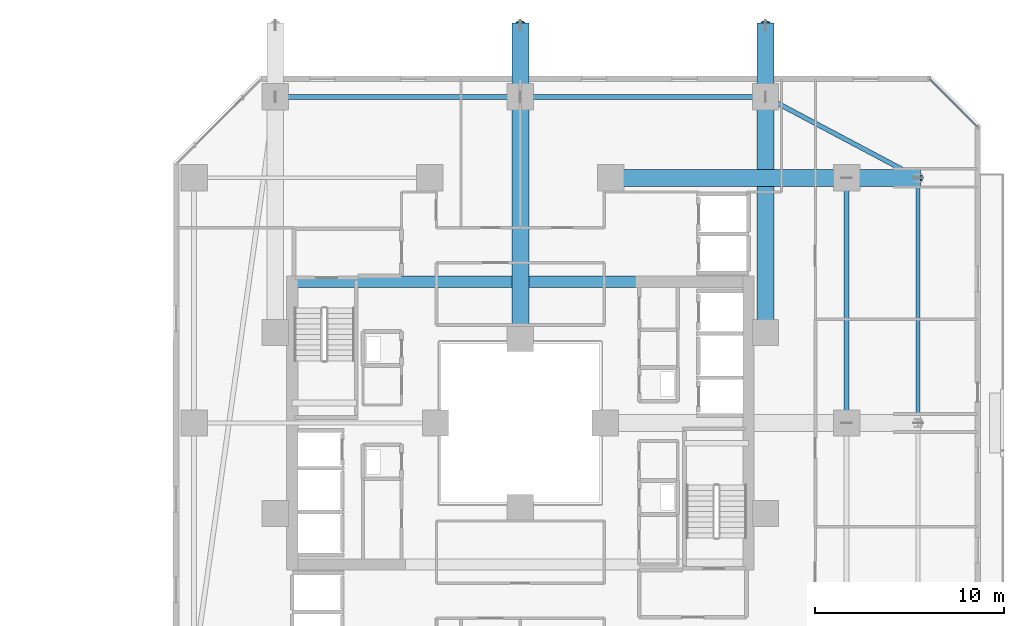
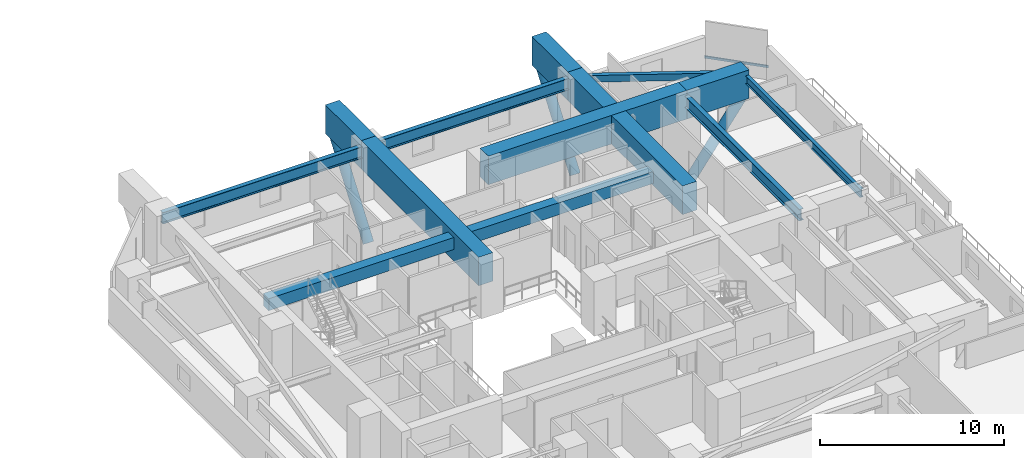
# One storey, part 16 of 36: 12 beams, 4 members, 1 element without a shape of its own.
"""IFC4 building model written with IfcOpenShell, lengths in metres."""

from ifc_helpers import new_model, si_unit, direction, frame, origin, origin_2d, place, context, subcontext, project, spatial, rectangle, hollow_rectangle, hollow_circle, i_section, extrude, material, material_profile, profile_set, type_object, element, aggregate, save


model = new_model("IFC4")

# Units and contexts
model_context = context("Model", 3, precision=1e-05, world=origin(), true_north=direction((0.0, 1.0)))
body_context = subcontext(model_context, "Body", "Model", "MODEL_VIEW")
ifc_project = project(units=[si_unit("LENGTHUNIT", "METRE"), si_unit("AREAUNIT", "SQUARE_METRE"), si_unit("VOLUMEUNIT", "CUBIC_METRE"), si_unit("PLANEANGLEUNIT", "RADIAN"), si_unit("MASSUNIT", "GRAM", prefix="KILO")], contexts=[model_context])

# Site, building, storey
site_placement = place(None, origin())
site = spatial("IfcSite", under=ifc_project, at=site_placement, CompositionType="ELEMENT")
building_placement = place(site_placement, origin())
building = spatial("IfcBuilding", under=site, at=building_placement, Name="Thornwick Lancets Civic Towers", CompositionType="ELEMENT")
storey_placement = place(building_placement, frame((0.0, 0.0, 45.89990234375)))
storey = spatial("IfcBuildingStorey", under=building, at=storey_placement, Name="L11", CompositionType="ELEMENT", Elevation=45.89990234375)

# Beams
ifc_material_1 = material(Name="Concrete C60/75", Category="concrete")
ifc_material_profile_1 = material_profile(ifc_material_1, rectangle(XDim=0.60009765625, YDim=0.800048828125, at=origin_2d()), Name="RC 600x800")
ifc_profile_set_1 = profile_set([ifc_material_profile_1], Name="Concrete C60/75")
beam_type_1 = type_object("IfcBeamType", Name="BM_COUP_RC800", PredefinedType="BEAM", material=ifc_profile_set_1)
beam_1_placement = place(storey_placement, frame((76.39990234375, 34.5, 2.880126953125), z_axis=(1.0, 0.0, 0.0), x_axis=(0.0, 1.0, 0.0)))
element("IfcBeam", 1, at=beam_1_placement, inside=storey, type_object=beam_type_1, Name="CB-L11-B1", PredefinedType="BEAM", context=body_context, shape_type="SweptSolid", body=[
    extrude(rectangle(XDim=0.60009765625, YDim=0.800048828125, at=origin_2d()), origin(), (0.0, 0.0, 1.0), 24.2001953125),
])
ifc_material_2 = material(Name="Steel S355JR", Category="steel")
ifc_material_profile_2 = material_profile(ifc_material_2, i_section(OverallWidth=0.2119140625, OverallDepth=0.54443359375, WebThickness=0.0126953125, FlangeThickness=0.021240234375, FilletRadius=0.0126953125, at=origin_2d()), Name="UKB 533x210x122")
ifc_profile_set_2 = profile_set([ifc_material_profile_2], Name="Steel S355JR")
beam_type_2 = type_object("IfcBeamType", Name="BM_EDGE_533_122", PredefinedType="SPANDREL", material=ifc_profile_set_2)
beam_2_placement = place(storey_placement, frame((109.60009765625, 27.080078125, 3.0078125), z_axis=(0.0, 1.0, 0.0), x_axis=(-1.0, 0.0, 0.0)))
element("IfcBeam", 2, at=beam_2_placement, inside=storey, type_object=beam_type_2, Name="BM-EDGE-L11-B-S0-2", PredefinedType="SPANDREL", context=body_context, shape_type="SweptSolid", body=[
    extrude(i_section(OverallWidth=0.2119140625, OverallDepth=0.54443359375, WebThickness=0.0126953125, FlangeThickness=0.021240234375, FilletRadius=0.0126953125, at=origin_2d()), origin(), (0.0, 0.0, 1.0), 12.919921875),
])
ifc_material_profile_3 = material_profile(ifc_material_2, i_section(OverallWidth=0.26806640625, OverallDepth=0.769775390625, WebThickness=0.015625, FlangeThickness=0.025390625, FilletRadius=0.0166015625, at=origin_2d()), Name="UKB 762x267x197")
ifc_profile_set_3 = profile_set([ifc_material_profile_3], Name="Steel S355JR")
beam_type_3 = type_object("IfcBeamType", Name="BM_GIRD_762_197", PredefinedType="BEAM", material=ifc_profile_set_3)
beam_3_placement = place(storey_placement, frame((105.800048828125, 27.080078125, 2.895263671875), z_axis=(0.0, 1.0, 0.0), x_axis=(-1.0, 0.0, 0.0)))
element("IfcBeam", 3, at=beam_3_placement, inside=storey, type_object=beam_type_3, Name="BM-SPINE-L11-B-1-2", PredefinedType="BEAM", context=body_context, shape_type="SweptSolid", body=[
    extrude(i_section(OverallWidth=0.26806640625, OverallDepth=0.769775390625, WebThickness=0.015625, FlangeThickness=0.025390625, FilletRadius=0.0166015625, at=origin_2d()), origin(), (0.0, 0.0, 1.0), 12.919921875),
])
beam_4_placement = place(storey_placement, frame((101.5, 44.300048828125, 2.895263671875), z_axis=(-1.0, 0.0, 0.0), x_axis=(0.0, -1.0, 0.0)))
element("IfcBeam", 4, at=beam_4_placement, inside=storey, type_object=beam_type_3, Name="BM-SPINE-L11-B-3-4", PredefinedType="BEAM", context=body_context, shape_type="SweptSolid", body=[
    extrude(i_section(OverallWidth=0.26806640625, OverallDepth=0.769775390625, WebThickness=0.015625, FlangeThickness=0.025390625, FilletRadius=0.0166015625, at=origin_2d()), origin(), (0.0, 0.0, 1.0), 13.0),
])
beam_5_placement = place(storey_placement, frame((88.419921875, 44.300048828125, 2.895263671875), z_axis=(-1.0, 0.0, 0.0), x_axis=(0.0, -1.0, 0.0)))
element("IfcBeam", 5, at=beam_5_placement, inside=storey, type_object=beam_type_3, Name="BM-SPINE-L11-B-4-5", PredefinedType="BEAM", context=body_context, shape_type="SweptSolid", body=[
    extrude(i_section(OverallWidth=0.26806640625, OverallDepth=0.769775390625, WebThickness=0.015625, FlangeThickness=0.025390625, FilletRadius=0.0166015625, at=origin_2d()), origin(), (0.0, 0.0, 1.0), 12.919921875),
])
ifc_material_profile_4 = material_profile(ifc_material_2, hollow_rectangle(XDim=0.25, YDim=0.449951171875, WallThickness=0.01611328125, at=origin_2d()), Name="RHS 450x250x16")
ifc_profile_set_4 = profile_set([ifc_material_profile_4], Name="Steel S355JR")
beam_type_4 = type_object("IfcBeamType", Name="BM_RING_RHS450", PredefinedType="BEAM", material=ifc_profile_set_4)
beam_6_placement = place(storey_placement, frame((109.60009765625, 40.0, 3.05517578125), z_axis=(-0.883256999818, 0.468889189758, 0.0), x_axis=(-0.468889189758, -0.883256999818, 0.0)))
element("IfcBeam", 6, at=beam_6_placement, inside=storey, type_object=beam_type_4, Name="BM-CHAMF-L11-B-C0", PredefinedType="BEAM", context=body_context, shape_type="SweptSolid", body=[
    extrude(hollow_rectangle(XDim=0.25, YDim=0.449951171875, WallThickness=0.01611328125, at=origin_2d()), origin(), (0.0, 0.0, 1.0), 9.170654296875),
])
ifc_material_profile_5 = material_profile(ifc_material_1, rectangle(XDim=0.89990234375, YDim=1.89990234375, at=origin_2d()), Name="RC 900x1900")
ifc_profile_set_5 = profile_set([ifc_material_profile_5], Name="Concrete C60/75")
beam_type_5 = type_object("IfcBeamType", Name="BM_TR_RC1900", PredefinedType="BEAM", material=ifc_profile_set_5)
beam_7_placement = place(storey_placement, frame((93.300048828125, 40.0, 2.650146484375), z_axis=(1.0, 0.0, 0.0), x_axis=(0.0, 1.0, 0.0)))
element("IfcBeam", 7, at=beam_7_placement, inside=storey, type_object=beam_type_5, Name="TG-BACK-L12-B03", PredefinedType="BEAM", context=body_context, shape_type="SweptSolid", body=[
    extrude(rectangle(XDim=0.89990234375, YDim=1.89990234375, at=origin_2d()), origin(), (0.0, 0.0, 1.0), 12.5),
])
beam_8_placement = place(storey_placement, frame((105.800048828125, 40.0, 2.650146484375), z_axis=(1.0, 0.0, 0.0), x_axis=(0.0, 1.0, 0.0)))
element("IfcBeam", 8, at=beam_8_placement, inside=storey, type_object=beam_type_5, Name="TG-CANT-L12-B03", PredefinedType="BEAM", context=body_context, shape_type="SweptSolid", body=[
    extrude(rectangle(XDim=0.89990234375, YDim=1.89990234375, at=origin_2d()), origin(), (0.0, 0.0, 1.0), 3.919921875),
])
beam_9_placement = place(storey_placement, frame((101.5, 31.800048828125, 2.650146484375), z_axis=(0.0, 1.0, 0.0), x_axis=(-1.0, 0.0, 0.0)))
element("IfcBeam", 9, at=beam_9_placement, inside=storey, type_object=beam_type_5, Name="TG-BACK-L12-B04", PredefinedType="BEAM", context=body_context, shape_type="SweptSolid", body=[
    extrude(rectangle(XDim=0.89990234375, YDim=1.89990234375, at=origin_2d()), origin(), (0.0, 0.0, 1.0), 12.5),
])
beam_10_placement = place(storey_placement, frame((101.5, 44.300048828125, 2.650146484375), z_axis=(0.0, 1.0, 0.0), x_axis=(-1.0, 0.0, 0.0)))
element("IfcBeam", 10, at=beam_10_placement, inside=storey, type_object=beam_type_5, Name="TG-CANT-L12-B04", PredefinedType="BEAM", context=body_context, shape_type="SweptSolid", body=[
    extrude(rectangle(XDim=0.89990234375, YDim=1.89990234375, at=origin_2d()), origin(), (0.0, 0.0, 1.0), 3.919921875),
])
beam_11_placement = place(storey_placement, frame((88.5, 31.5, 2.650146484375), z_axis=(0.0, 1.0, 0.0), x_axis=(-1.0, 0.0, 0.0)))
element("IfcBeam", 11, at=beam_11_placement, inside=storey, type_object=beam_type_5, Name="TG-BACK-L12-B05", PredefinedType="BEAM", context=body_context, shape_type="SweptSolid", body=[
    extrude(rectangle(XDim=0.89990234375, YDim=1.89990234375, at=origin_2d()), origin(), (0.0, 0.0, 1.0), 12.800048828125),
])
beam_12_placement = place(storey_placement, frame((88.5, 44.300048828125, 2.650146484375), z_axis=(0.0, 1.0, 0.0), x_axis=(-1.0, 0.0, 0.0)))
element("IfcBeam", 12, at=beam_12_placement, inside=storey, type_object=beam_type_5, Name="TG-CANT-L12-B05", PredefinedType="BEAM", context=body_context, shape_type="SweptSolid", body=[
    extrude(rectangle(XDim=0.89990234375, YDim=1.89990234375, at=origin_2d()), origin(), (0.0, 0.0, 1.0), 3.919921875),
])

# Curtain wall, member
ifc_material_3 = material(Name="Low-zone chamfered-corner unitised glass curtain wall", Category="glass")
curtain_wall_type = type_object("IfcCurtainWallType", Name="CW_SYS_03", PredefinedType="NOTDEFINED", material=ifc_material_3)
curtain_wall_placement = place(storey_placement, origin())
curtain_wall = element("IfcCurtainWall", 13, at=curtain_wall_placement, inside=storey, type_object=curtain_wall_type, Name="L11 Curtain Wall CW-L11-B-E3", PredefinedType="NOTDEFINED")
ifc_material_4 = material(Name="Thermally broken bronze aluminium S355", Category="steel")
ifc_material_profile_6 = material_profile(ifc_material_4, hollow_rectangle(XDim=0.074951171875, YDim=0.14990234375, WallThickness=0.0048828125, at=origin_2d()), Name="RHS 150x75x5")
ifc_profile_set_6 = profile_set([ifc_material_profile_6], Name="Thermally broken bronze aluminium S355")
member_type_1 = type_object("IfcMemberType", Name="CW_TRN_150", PredefinedType="USERDEFINED", material=ifc_profile_set_6)
member_placement = place(storey_placement, frame((112.750732421875, 42.6953125, 0.85009765625), z_axis=(-0.707106781187, 0.707106781187, 0.0), x_axis=(-0.707106781187, -0.707106781187, 0.0)))
member = element("IfcMember", 14, at=member_placement, type_object=member_type_1, Name="CW-L11-B-E3 Transom 0", ObjectType="TRANSOM", PredefinedType="USERDEFINED", context=body_context, shape_type="SweptSolid", body=[
    extrude(hollow_rectangle(XDim=0.074951171875, YDim=0.14990234375, WallThickness=0.0048828125, at=origin_2d()), origin(), (0.0, 0.0, 1.0), 3.614013671875),
])
aggregate(curtain_wall, [member])

# Members
ifc_material_5 = material(Name="Steel S460M", Category="steel")
ifc_material_profile_7 = material_profile(ifc_material_5, hollow_circle(Radius=0.304931640625, WallThickness=0.030029296875, at=origin_2d()), Name="CHS 610x30")
ifc_profile_set_7 = profile_set([ifc_material_profile_7], Name="Steel S460M")
member_type_2 = type_object("IfcMemberType", Name="MEM_STRUT_CHS610", PredefinedType="STRUT", material=ifc_profile_set_7)
for number, where, z_axis, x_axis, name in (
    (15, (105.800048828125, 40.0, -3.349853515625), (0.595241268987, 0.0, 0.803547031414), (0.0, 1.0, 0.0), "L12 Jenga Transfer Raking Strut B03"),
    (16, (101.5, 44.300048828125, -3.349853515625), (0.0, 0.595241268987, 0.803547031414), (-1.0, 0.0, 0.0), "L12 Jenga Transfer Raking Strut B04"),
    (17, (88.5, 44.300048828125, -3.349853515625), (0.0, 0.595241268987, 0.803547031414), (-1.0, 0.0, 0.0), "L12 Jenga Transfer Raking Strut B05"),
):
    element("IfcMember", number, at=place(storey_placement, frame(where, z_axis=z_axis, x_axis=x_axis)), inside=storey, type_object=member_type_2, Name=name, PredefinedType="STRUT", context=body_context, shape_type="SweptSolid", body=[
        extrude(hollow_circle(Radius=0.304931640625, WallThickness=0.030029296875, at=origin_2d()), origin(), (0.0, 0.0, 1.0), 6.384033203125),
    ])

save(model, "model.ifc")
